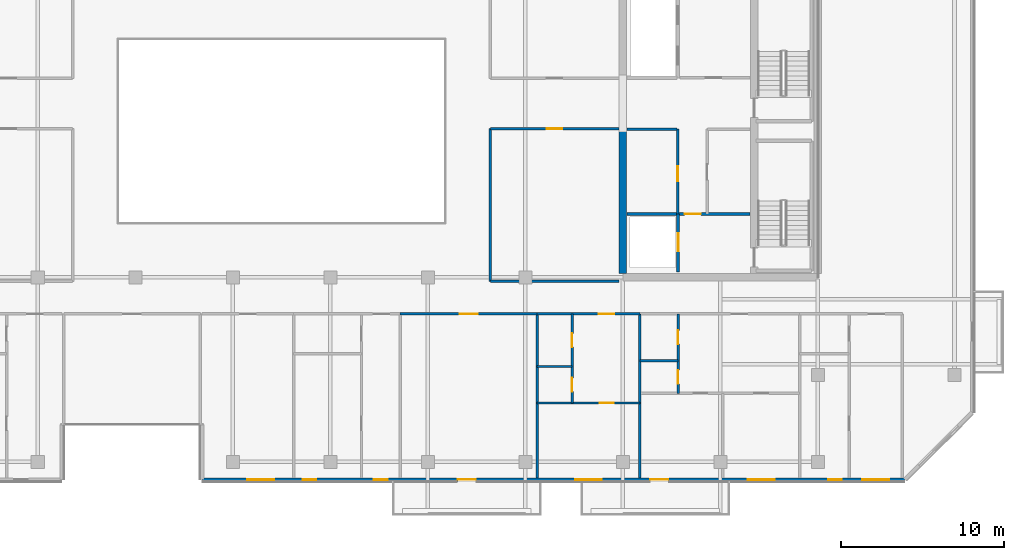
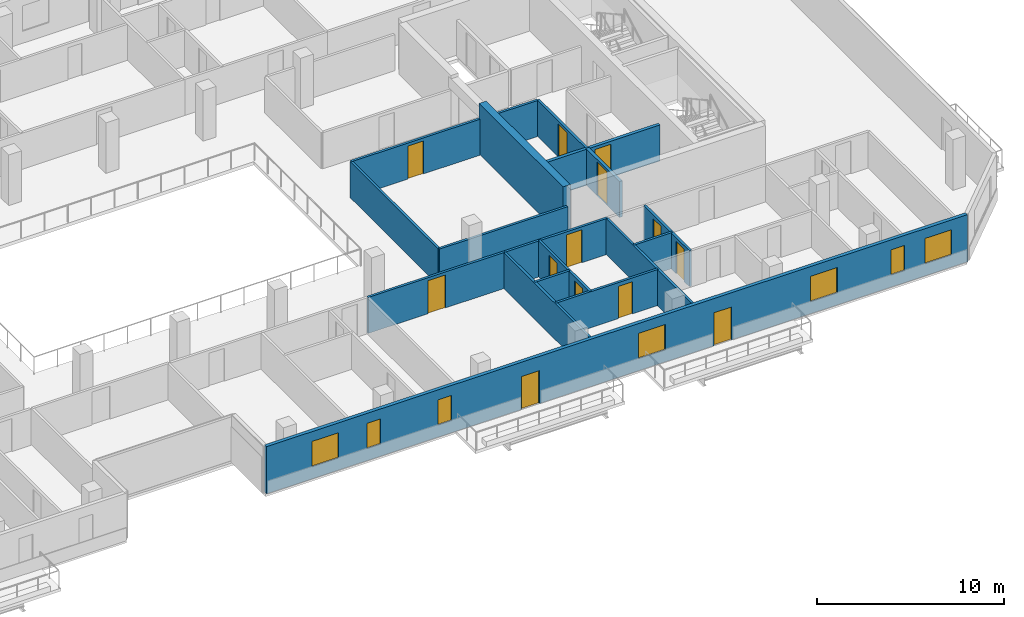
# One storey, part 12 of 20: 18 walls, 13 doors, 7 windows, 20 openings.
"""IFC4 building model written with IfcOpenShell, lengths in metres."""

from ifc_helpers import new_model, si_unit, direction, frame, frame_2d, origin, place, context, subcontext, project, spatial, rectangle, extrude, material, layer, layer_set, type_object, element, fill, save


model = new_model("IFC4")

# Units and contexts
model_context = context("Model", 3, precision=1e-05, world=origin(), true_north=direction((0.0, 1.0)))
body_context = subcontext(model_context, "Body", "Model", "MODEL_VIEW")
ifc_project = project(units=[si_unit("LENGTHUNIT", "METRE"), si_unit("AREAUNIT", "SQUARE_METRE"), si_unit("VOLUMEUNIT", "CUBIC_METRE"), si_unit("PLANEANGLEUNIT", "RADIAN"), si_unit("MASSUNIT", "GRAM", prefix="KILO")], contexts=[model_context])

# Site, building, storey
site_placement = place(None, origin())
site = spatial("IfcSite", under=ifc_project, at=site_placement, CompositionType="ELEMENT")
building_placement = place(site_placement, origin())
building = spatial("IfcBuilding", under=site, at=building_placement, Name="Tanjung Sevakor Pilgrim Tower", CompositionType="ELEMENT")
storey_placement = place(building_placement, frame((0.0, 0.0, 201.6298828125)))
storey = spatial("IfcBuildingStorey", under=building, at=storey_placement, Name="L56", CompositionType="ELEMENT", Elevation=201.6298828125)

# Walls
ifc_material_1 = material(Name="Concrete C60/75", Category="concrete")
ifc_layer_1 = layer(ifc_material_1, 0.449951171875)
ifc_layer_set_1 = layer_set([ifc_layer_1], Name="WALL-CW-450")
wall_type_1 = type_object("IfcWallType", Name="WALL-CW-450", PredefinedType="SHEAR", material=ifc_layer_set_1)
wall_1_placement = place(storey_placement, frame((78.0, 24.824951171875, 0.0), z_axis=(0.0, 0.0, 1.0), x_axis=(0.0, 1.0, 0.0)))
element("IfcWall", 1, at=wall_1_placement, inside=storey, type_object=wall_type_1, Name="L56 E Core Inner Shear Wall South", PredefinedType="SHEAR", context=body_context, shape_type="SweptSolid", body=[
    extrude(rectangle(XDim=8.97509765625, YDim=0.449951171875, at=frame_2d((4.487548828125, 0.0))), origin(), (0.0, 0.0, 1.0), 3.300048828125),
])
ifc_material_2 = material(Name="Concrete C40/50", Category="concrete")
ifc_layer_2 = layer(ifc_material_2, 0.14990234375)
ifc_layer_set_2 = layer_set([ifc_layer_2], Name="WT-COMP-150")
wall_type_2 = type_object("IfcWallType", Name="WT-COMP-150", PredefinedType="SOLIDWALL", material=ifc_layer_set_2)
wall_2_placement = place(storey_placement, frame((78.2451171875, 33.719970703125, 0.0), z_axis=(0.0, 0.0, 1.0), x_axis=(1.0, 0.0, 0.0)))
element("IfcWall", 2, at=wall_2_placement, inside=storey, type_object=wall_type_2, Name="L56 Partition IW-L56-014", PredefinedType="SOLIDWALL", context=body_context, shape_type="SweptSolid", body=[
    extrude(rectangle(XDim=3.074951171875, YDim=0.14990234375, at=frame_2d((1.53759765625, 0.0))), origin(), (0.0, 0.0, 1.0), 2.35009765625),
])

# Wall, opening, door
wall_3_placement = place(storey_placement, frame((81.3798828125, 28.5, 0.0), z_axis=(0.0, 0.0, 1.0), x_axis=(0.0, 1.0, 0.0)))
wall_3 = element("IfcWall", 3, at=wall_3_placement, inside=storey, type_object=wall_type_2, Name="L56 Partition IW-L56-015", PredefinedType="SOLIDWALL", context=body_context, shape_type="SweptSolid", body=[
    extrude(rectangle(XDim=5.219970703125, YDim=0.14990234375, at=frame_2d((2.60986328125, 0.0))), origin(), (0.0, 0.0, 1.0), 2.35009765625),
])
opening_1_placement = place(wall_3_placement, frame((2.0, 0.0, 0.0)))
opening_1 = element("IfcOpeningElement", 4, at=opening_1_placement, cuts=wall_3, Name="Opening ID-FD2", PredefinedType="OPENING", context=body_context, shape_type="SweptSolid", body=[
    extrude(rectangle(XDim=0.949951171875, YDim=2.14990234375, at=frame_2d((0.47509765625, 1.074951171875))), frame((0.0, 0.0849609375, 0.0), z_axis=(0.0, -1.0, 0.0), x_axis=(1.0, 0.0, 0.0)), (0.0, 0.0, 1.0), 0.169921875),
])
ifc_material_3 = material(Name="Fire-Rated Timber", Category="wood")
door_type_1 = type_object("IfcDoorType", Name="DT-FIRE-950", OperationType="NOTDEFINED", PredefinedType="DOOR", material=ifc_material_3)
door_1_placement = place(opening_1_placement, origin())
door_1 = element("IfcDoor", 5, at=door_1_placement, inside=storey, type_object=door_type_1, Name="L56 Accessible WC Door", OperationType="SINGLE_SWING_LEFT", OverallHeight=2.14990234375, OverallWidth=0.949951171875, PredefinedType="DOOR", context=body_context, shape_type="SweptSolid", body=[
    extrude(rectangle(XDim=0.949951171875, YDim=2.14990234375, at=frame_2d((0.47509765625, 1.074951171875))), frame((0.0, 0.02490234375, 0.0), z_axis=(0.0, -1.0, 0.0), x_axis=(1.0, 0.0, 0.0)), (0.0, 0.0, 1.0), 0.050048828125),
])
fill(opening_1, door_1)

# Wall
wall_4_placement = place(storey_placement, frame((69.85009765625, 24.35009765625, 0.0), z_axis=(0.0, 0.0, 1.0), x_axis=(1.0, 0.0, 0.0)))
element("IfcWall", 6, at=wall_4_placement, inside=storey, type_object=wall_type_2, Name="L56 Partition IW-L56-025", PredefinedType="SOLIDWALL", context=body_context, shape_type="SweptSolid", body=[
    extrude(rectangle(XDim=7.90478515625, YDim=0.14990234375, at=frame_2d((3.952392578125, 0.0))), origin(), (0.0, 0.0, 1.0), 2.35009765625),
])

# Wall, opening, door
wall_5_placement = place(storey_placement, frame((69.85009765625, 33.75, 0.0), z_axis=(0.0, 0.0, 1.0), x_axis=(1.0, 0.0, 0.0)))
wall_5 = element("IfcWall", 7, at=wall_5_placement, inside=storey, type_object=wall_type_2, Name="L56 Partition IW-L56-026", PredefinedType="SOLIDWALL", context=body_context, shape_type="SweptSolid", body=[
    extrude(rectangle(XDim=7.90478515625, YDim=0.14990234375, at=frame_2d((3.952392578125, 0.0))), origin(), (0.0, 0.0, 1.0), 2.35009765625),
])
opening_2_placement = place(wall_5_placement, frame((3.4775390625, 0.0, 0.0)))
opening_2 = element("IfcOpeningElement", 8, at=opening_2_placement, cuts=wall_5, Name="Opening ID-RM1", PredefinedType="OPENING", context=body_context, shape_type="SweptSolid", body=[
    extrude(rectangle(XDim=0.949951171875, YDim=2.14990234375, at=frame_2d((0.47509765625, 1.074951171875))), frame((0.0, 0.0849609375, 0.0), z_axis=(0.0, -1.0, 0.0), x_axis=(1.0, 0.0, 0.0)), (0.0, 0.0, 1.0), 0.169921875),
])
ifc_material_4 = material(Name="Hardwood Timber", Category="wood")
door_type_2 = type_object("IfcDoorType", Name="DT-INT-950", OperationType="NOTDEFINED", PredefinedType="DOOR", material=ifc_material_4)
door_2_placement = place(opening_2_placement, origin())
door_2 = element("IfcDoor", 9, at=door_2_placement, inside=storey, type_object=door_type_2, Name="L56 East Inboard South Door", OperationType="SINGLE_SWING_LEFT", OverallHeight=2.14990234375, OverallWidth=0.949951171875, PredefinedType="DOOR", context=body_context, shape_type="SweptSolid", body=[
    extrude(rectangle(XDim=0.949951171875, YDim=2.14990234375, at=frame_2d((0.47509765625, 1.074951171875))), frame((0.0, 0.02490234375, 0.0), z_axis=(0.0, -1.0, 0.0), x_axis=(1.0, 0.0, 0.0)), (0.0, 0.0, 1.0), 0.050048828125),
])
fill(opening_2, door_2)

# Walls
wall_6_placement = place(storey_placement, frame((69.85009765625, 24.35009765625, 0.0), z_axis=(0.0, 0.0, 1.0), x_axis=(0.0, 1.0, 0.0)))
element("IfcWall", 10, at=wall_6_placement, inside=storey, type_object=wall_type_2, Name="L56 Partition IW-L56-027", PredefinedType="SOLIDWALL", context=body_context, shape_type="SweptSolid", body=[
    extrude(rectangle(XDim=9.39990234375, YDim=0.14990234375, at=frame_2d((4.699951171875, 0.0))), origin(), (0.0, 0.0, 1.0), 2.35009765625),
])
wall_7_placement = place(storey_placement, frame((72.723388671875, 12.27001953125, 0.0), z_axis=(0.0, 0.0, 1.0), x_axis=(0.0, 1.0, 0.0)))
element("IfcWall", 11, at=wall_7_placement, inside=storey, type_object=wall_type_2, Name="L56 Partition IW-L56-058", PredefinedType="SOLIDWALL", context=body_context, shape_type="SweptSolid", body=[
    extrude(rectangle(XDim=10.080078125, YDim=0.14990234375, at=frame_2d((5.0400390625, 0.0))), origin(), (0.0, 0.0, 1.0), 2.35009765625),
])

# Wall, opening, door
wall_8_placement = place(storey_placement, frame((64.294921875, 22.35009765625, 0.0), z_axis=(0.0, 0.0, 1.0), x_axis=(1.0, 0.0, 0.0)))
wall_8 = element("IfcWall", 12, at=wall_8_placement, inside=storey, type_object=wall_type_2, Name="L56 Partition IW-L56-059", PredefinedType="SOLIDWALL", context=body_context, shape_type="SweptSolid", body=[
    extrude(rectangle(XDim=8.428466796875, YDim=0.14990234375, at=frame_2d((4.21435546875, 0.0))), origin(), (0.0, 0.0, 1.0), 2.35009765625),
])
opening_3_placement = place(wall_8_placement, frame((3.664306640625, 0.0, 0.0)))
opening_3 = element("IfcOpeningElement", 13, at=opening_3_placement, cuts=wall_8, Name="Opening ID-FD0", PredefinedType="OPENING", context=body_context, shape_type="SweptSolid", body=[
    extrude(rectangle(XDim=1.10009765625, YDim=2.14990234375, at=frame_2d((0.550048828125, 1.074951171875))), frame((0.0, 0.0849609375, 0.0), z_axis=(0.0, -1.0, 0.0), x_axis=(1.0, 0.0, 0.0)), (0.0, 0.0, 1.0), 0.169921875),
])
ifc_material_5 = material(Name="Fire-Rated Steel S355J2", Category="steel")
door_type_3 = type_object("IfcDoorType", Name="DT-FIRE-1100", OperationType="NOTDEFINED", PredefinedType="DOOR", material=ifc_material_5)
door_3_placement = place(opening_3_placement, origin())
door_3 = element("IfcDoor", 14, at=door_3_placement, inside=storey, type_object=door_type_3, Name="Seminar Room Door", OperationType="SINGLE_SWING_RIGHT", OverallHeight=2.14990234375, OverallWidth=1.10009765625, PredefinedType="DOOR", context=body_context, shape_type="SweptSolid", body=[
    extrude(rectangle(XDim=1.10009765625, YDim=2.14990234375, at=frame_2d((0.550048828125, 1.074951171875))), frame((0.0, 0.02490234375, 0.0), z_axis=(0.0, -1.0, 0.0), x_axis=(1.0, 0.0, 0.0)), (0.0, 0.0, 1.0), 0.050048828125),
])
fill(opening_3, door_3)

# Wall
wall_9_placement = place(storey_placement, frame((79.044921875, 12.27001953125, 0.0), z_axis=(0.0, 0.0, 1.0), x_axis=(0.0, 1.0, 0.0)))
element("IfcWall", 15, at=wall_9_placement, inside=storey, type_object=wall_type_2, Name="L56 Partition IW-L56-060", PredefinedType="SOLIDWALL", context=body_context, shape_type="SweptSolid", body=[
    extrude(rectangle(XDim=10.080078125, YDim=0.14990234375, at=frame_2d((5.0400390625, 0.0))), origin(), (0.0, 0.0, 1.0), 2.35009765625),
])

# Wall, opening, door
wall_10_placement = place(storey_placement, frame((72.723388671875, 22.35009765625, 0.0), z_axis=(0.0, 0.0, 1.0), x_axis=(1.0, 0.0, 0.0)))
wall_10 = element("IfcWall", 16, at=wall_10_placement, inside=storey, type_object=wall_type_2, Name="L56 Partition IW-L56-064", PredefinedType="SOLIDWALL", context=body_context, shape_type="SweptSolid", body=[
    extrude(rectangle(XDim=6.321533203125, YDim=0.14990234375, at=frame_2d((3.16064453125, 0.0))), origin(), (0.0, 0.0, 1.0), 2.35009765625),
])
opening_4_placement = place(wall_10_placement, frame((3.80029296875, 0.0, 0.0)))
opening_4 = element("IfcOpeningElement", 17, at=opening_4_placement, cuts=wall_10, Name="Opening ID-FD2", PredefinedType="OPENING", context=body_context, shape_type="SweptSolid", body=[
    extrude(rectangle(XDim=0.949951171875, YDim=2.14990234375, at=frame_2d((0.47509765625, 1.074951171875))), frame((0.0, 0.0849609375, 0.0), z_axis=(0.0, -1.0, 0.0), x_axis=(1.0, 0.0, 0.0)), (0.0, 0.0, 1.0), 0.169921875),
])
door_4_placement = place(opening_4_placement, origin())
door_4 = element("IfcDoor", 18, at=door_4_placement, inside=storey, type_object=door_type_1, Name="Residence Entrance", OperationType="SINGLE_SWING_RIGHT", OverallHeight=2.14990234375, OverallWidth=0.949951171875, PredefinedType="DOOR", context=body_context, shape_type="SweptSolid", body=[
    extrude(rectangle(XDim=0.949951171875, YDim=2.14990234375, at=frame_2d((0.47509765625, 1.074951171875))), frame((0.0, 0.02490234375, 0.0), z_axis=(0.0, -1.0, 0.0), x_axis=(1.0, 0.0, 0.0)), (0.0, 0.0, 1.0), 0.050048828125),
])
fill(opening_4, door_4)

# Wall, openings, doors, windows
ifc_material_6 = material(Name="Precast concrete C45/55", Category="concrete")
ifc_layer_3 = layer(ifc_material_6, 0.219970703125)
ifc_layer_set_3 = layer_set([ifc_layer_3], Name="WT-EW-STN4")
wall_type_3 = type_object("IfcWallType", Name="WT-EW-STN4", PredefinedType="SOLIDWALL", material=ifc_layer_set_3)
wall_11_placement = place(storey_placement, frame((52.110107421875, 12.159912109375, 0.0), z_axis=(0.0, 0.0, 1.0), x_axis=(1.0, 0.0, 0.0)))
wall_11 = element("IfcWall", 19, at=wall_11_placement, inside=storey, type_object=wall_type_3, Name="L56 MAIN Exterior Wall 5", PredefinedType="SOLIDWALL", context=body_context, shape_type="SweptSolid", body=[
    extrude(rectangle(XDim=43.244384765625, YDim=0.219970703125, at=frame_2d((21.6220703125, 0.0))), origin(), (0.0, 0.0, 1.0), 3.080078125),
])
opening_5_placement = place(wall_11_placement, frame((15.739990234375, 0.0, 0.0)))
opening_5 = element("IfcOpeningElement", 20, at=opening_5_placement, cuts=wall_11, Name="Opening ED-BAL-1100", PredefinedType="OPENING", context=body_context, shape_type="SweptSolid", body=[
    extrude(rectangle(XDim=1.10009765625, YDim=2.14990234375, at=frame_2d((0.550048828125, 1.074951171875))), frame((0.0, 0.119873046875, 0.0), z_axis=(0.0, -1.0, 0.0), x_axis=(1.0, 0.0, 0.0)), (0.0, 0.0, 1.0), 0.239990234375),
])
opening_6_placement = place(wall_11_placement, frame((27.590087890625, 0.0, 0.0)))
opening_6 = element("IfcOpeningElement", 21, at=opening_6_placement, cuts=wall_11, Name="Opening ED-BAL-1100", PredefinedType="OPENING", context=body_context, shape_type="SweptSolid", body=[
    extrude(rectangle(XDim=1.10009765625, YDim=2.14990234375, at=frame_2d((0.550048828125, 1.074951171875))), frame((0.0, 0.119873046875, 0.0), z_axis=(0.0, -1.0, 0.0), x_axis=(1.0, 0.0, 0.0)), (0.0, 0.0, 1.0), 0.239990234375),
])
opening_7_placement = place(wall_11_placement, frame((2.794677734375, 0.0, 0.780029296875)))
opening_7 = element("IfcOpeningElement", 22, at=opening_7_placement, cuts=wall_11, Name="Opening WN-Z4-1660", PredefinedType="OPENING", context=body_context, shape_type="SweptSolid", body=[
    extrude(rectangle(XDim=1.64990234375, YDim=1.659912109375, at=frame_2d((0.824951171875, 0.830078125))), frame((0.0, 0.119873046875, 0.0), z_axis=(0.0, -1.0, 0.0), x_axis=(1.0, 0.0, 0.0)), (0.0, 0.0, 1.0), 0.239990234375),
])
opening_8_placement = place(wall_11_placement, frame((6.1845703125, 0.0, 0.780029296875)))
opening_8 = element("IfcOpeningElement", 23, at=opening_8_placement, cuts=wall_11, Name="Opening WN-SLM", PredefinedType="OPENING", context=body_context, shape_type="SweptSolid", body=[
    extrude(rectangle(XDim=0.85009765625, YDim=1.64990234375, at=frame_2d((0.425048828125, 0.824951171875))), frame((0.0, 0.119873046875, 0.0), z_axis=(0.0, -1.0, 0.0), x_axis=(1.0, 0.0, 0.0)), (0.0, 0.0, 1.0), 0.239990234375),
])
opening_9_placement = place(wall_11_placement, frame((10.5625, 0.0, 0.780029296875)))
opening_9 = element("IfcOpeningElement", 24, at=opening_9_placement, cuts=wall_11, Name="Opening WN-SLM", PredefinedType="OPENING", context=body_context, shape_type="SweptSolid", body=[
    extrude(rectangle(XDim=0.85009765625, YDim=1.64990234375, at=frame_2d((0.425048828125, 0.824951171875))), frame((0.0, 0.119873046875, 0.0), z_axis=(0.0, -1.0, 0.0), x_axis=(1.0, 0.0, 0.0)), (0.0, 0.0, 1.0), 0.239990234375),
])
opening_10_placement = place(wall_11_placement, frame((22.94921875, 0.0, 0.780029296875)))
opening_10 = element("IfcOpeningElement", 25, at=opening_10_placement, cuts=wall_11, Name="Opening WN-Z4-1660", PredefinedType="OPENING", context=body_context, shape_type="SweptSolid", body=[
    extrude(rectangle(XDim=1.64990234375, YDim=1.659912109375, at=frame_2d((0.824951171875, 0.830078125))), frame((0.0, 0.119873046875, 0.0), z_axis=(0.0, -1.0, 0.0), x_axis=(1.0, 0.0, 0.0)), (0.0, 0.0, 1.0), 0.239990234375),
])
opening_11_placement = place(wall_11_placement, frame((33.573486328125, 0.0, 0.780029296875)))
opening_11 = element("IfcOpeningElement", 26, at=opening_11_placement, cuts=wall_11, Name="Opening WN-Z4-1660", PredefinedType="OPENING", context=body_context, shape_type="SweptSolid", body=[
    extrude(rectangle(XDim=1.64990234375, YDim=1.659912109375, at=frame_2d((0.824951171875, 0.830078125))), frame((0.0, 0.119873046875, 0.0), z_axis=(0.0, -1.0, 0.0), x_axis=(1.0, 0.0, 0.0)), (0.0, 0.0, 1.0), 0.239990234375),
])
opening_12_placement = place(wall_11_placement, frame((38.514404296875, 0.0, 0.780029296875)))
opening_12 = element("IfcOpeningElement", 27, at=opening_12_placement, cuts=wall_11, Name="Opening WN-SLM", PredefinedType="OPENING", context=body_context, shape_type="SweptSolid", body=[
    extrude(rectangle(XDim=0.85009765625, YDim=1.64990234375, at=frame_2d((0.425048828125, 0.824951171875))), frame((0.0, 0.119873046875, 0.0), z_axis=(0.0, -1.0, 0.0), x_axis=(1.0, 0.0, 0.0)), (0.0, 0.0, 1.0), 0.239990234375),
])
opening_13_placement = place(wall_11_placement, frame((40.614990234375, 0.0, 0.780029296875)))
opening_13 = element("IfcOpeningElement", 28, at=opening_13_placement, cuts=wall_11, Name="Opening WN-Z4-1660", PredefinedType="OPENING", context=body_context, shape_type="SweptSolid", body=[
    extrude(rectangle(XDim=1.64990234375, YDim=1.659912109375, at=frame_2d((0.824951171875, 0.830078125))), frame((0.0, 0.119873046875, 0.0), z_axis=(0.0, -1.0, 0.0), x_axis=(1.0, 0.0, 0.0)), (0.0, 0.0, 1.0), 0.239990234375),
])
ifc_material_7 = material(Name="Anodised Aluminium and Laminated Glass", Category="aluminium")
door_type_4 = type_object("IfcDoorType", Name="DTYP-ED-BAL-1100", OperationType="NOTDEFINED", PredefinedType="DOOR", material=ifc_material_7)
door_5_placement = place(opening_5_placement, frame((1.10009765625, 0.0, 0.0), z_axis=(0.0, 0.0, 1.0), x_axis=(-1.0, 0.0, 0.0)))
door_5 = element("IfcDoor", 29, at=door_5_placement, inside=storey, type_object=door_type_4, Name="L56 Balcony Door MAIN-S2", OperationType="SINGLE_SWING_RIGHT", OverallHeight=2.14990234375, OverallWidth=1.10009765625, PredefinedType="DOOR", context=body_context, shape_type="SweptSolid", body=[
    extrude(rectangle(XDim=1.10009765625, YDim=2.14990234375, at=frame_2d((0.550048828125, 1.074951171875))), frame((0.0, 0.02490234375, 0.0), z_axis=(0.0, -1.0, 0.0), x_axis=(1.0, 0.0, 0.0)), (0.0, 0.0, 1.0), 0.050048828125),
])
fill(opening_5, door_5)
door_6_placement = place(opening_6_placement, frame((1.10009765625, 0.0, 0.0), z_axis=(0.0, 0.0, 1.0), x_axis=(-1.0, 0.0, 0.0)))
door_6 = element("IfcDoor", 30, at=door_6_placement, inside=storey, type_object=door_type_4, Name="L56 Balcony Door MAIN-S3", OperationType="SINGLE_SWING_LEFT", OverallHeight=2.14990234375, OverallWidth=1.10009765625, PredefinedType="DOOR", context=body_context, shape_type="SweptSolid", body=[
    extrude(rectangle(XDim=1.10009765625, YDim=2.14990234375, at=frame_2d((0.550048828125, 1.074951171875))), frame((0.0, 0.02490234375, 0.0), z_axis=(0.0, -1.0, 0.0), x_axis=(1.0, 0.0, 0.0)), (0.0, 0.0, 1.0), 0.050048828125),
])
fill(opening_6, door_6)
ifc_material_8 = material(Name="Thermally Broken Aluminium and Low-E Glass", Category="aluminium")
window_type_1 = type_object("IfcWindowType", Name="WTYP-WN-SLM", PartitioningType="SINGLE_PANEL", PredefinedType="WINDOW", material=ifc_material_8)
window_1_placement = place(opening_8_placement, origin())
window_1 = element("IfcWindow", 31, at=window_1_placement, inside=storey, type_object=window_type_1, Name="L56 Facade Window 02", OverallHeight=1.64990234375, OverallWidth=0.85009765625, PartitioningType="SINGLE_PANEL", PredefinedType="WINDOW", context=body_context, shape_type="SweptSolid", body=[
    extrude(rectangle(XDim=0.85009765625, YDim=1.64990234375, at=frame_2d((0.425048828125, 0.824951171875))), frame((0.0, 0.030029296875, 0.0), z_axis=(0.0, -1.0, 0.0), x_axis=(1.0, 0.0, 0.0)), (0.0, 0.0, 1.0), 0.06005859375),
])
fill(opening_8, window_1)
window_2_placement = place(opening_9_placement, origin())
window_2 = element("IfcWindow", 32, at=window_2_placement, inside=storey, type_object=window_type_1, Name="L56 Facade Window 03", OverallHeight=1.64990234375, OverallWidth=0.85009765625, PartitioningType="SINGLE_PANEL", PredefinedType="WINDOW", context=body_context, shape_type="SweptSolid", body=[
    extrude(rectangle(XDim=0.85009765625, YDim=1.64990234375, at=frame_2d((0.425048828125, 0.824951171875))), frame((0.0, 0.030029296875, 0.0), z_axis=(0.0, -1.0, 0.0), x_axis=(1.0, 0.0, 0.0)), (0.0, 0.0, 1.0), 0.06005859375),
])
fill(opening_9, window_2)
window_3_placement = place(opening_12_placement, origin())
window_3 = element("IfcWindow", 33, at=window_3_placement, inside=storey, type_object=window_type_1, Name="L56 Facade Window 06", OverallHeight=1.64990234375, OverallWidth=0.85009765625, PartitioningType="SINGLE_PANEL", PredefinedType="WINDOW", context=body_context, shape_type="SweptSolid", body=[
    extrude(rectangle(XDim=0.85009765625, YDim=1.64990234375, at=frame_2d((0.425048828125, 0.824951171875))), frame((0.0, 0.030029296875, 0.0), z_axis=(0.0, -1.0, 0.0), x_axis=(1.0, 0.0, 0.0)), (0.0, 0.0, 1.0), 0.06005859375),
])
fill(opening_12, window_3)
ifc_material_9 = material(Name="Thermally Broken Aluminium and Low-E Glass", Category="aluminium")
window_type_2 = type_object("IfcWindowType", Name="WTYP-WN-Z4-1660", PartitioningType="DOUBLE_PANEL_VERTICAL", PredefinedType="WINDOW", material=ifc_material_9)
window_4_placement = place(opening_7_placement, origin())
window_4 = element("IfcWindow", 34, at=window_4_placement, inside=storey, type_object=window_type_2, Name="L56 Facade Window 01", OverallHeight=1.659912109375, OverallWidth=1.64990234375, PartitioningType="SINGLE_PANEL", PredefinedType="WINDOW", context=body_context, shape_type="SweptSolid", body=[
    extrude(rectangle(XDim=1.64990234375, YDim=1.659912109375, at=frame_2d((0.824951171875, 0.830078125))), frame((0.0, 0.030029296875, 0.0), z_axis=(0.0, -1.0, 0.0), x_axis=(1.0, 0.0, 0.0)), (0.0, 0.0, 1.0), 0.06005859375),
])
fill(opening_7, window_4)
window_5_placement = place(opening_10_placement, origin())
window_5 = element("IfcWindow", 35, at=window_5_placement, inside=storey, type_object=window_type_2, Name="L56 Facade Window 04", OverallHeight=1.659912109375, OverallWidth=1.64990234375, PartitioningType="SINGLE_PANEL", PredefinedType="WINDOW", context=body_context, shape_type="SweptSolid", body=[
    extrude(rectangle(XDim=1.64990234375, YDim=1.659912109375, at=frame_2d((0.824951171875, 0.830078125))), frame((0.0, 0.030029296875, 0.0), z_axis=(0.0, -1.0, 0.0), x_axis=(1.0, 0.0, 0.0)), (0.0, 0.0, 1.0), 0.06005859375),
])
fill(opening_10, window_5)
window_6_placement = place(opening_11_placement, origin())
window_6 = element("IfcWindow", 36, at=window_6_placement, inside=storey, type_object=window_type_2, Name="L56 Facade Window 05", OverallHeight=1.659912109375, OverallWidth=1.64990234375, PartitioningType="SINGLE_PANEL", PredefinedType="WINDOW", context=body_context, shape_type="SweptSolid", body=[
    extrude(rectangle(XDim=1.64990234375, YDim=1.659912109375, at=frame_2d((0.824951171875, 0.830078125))), frame((0.0, 0.030029296875, 0.0), z_axis=(0.0, -1.0, 0.0), x_axis=(1.0, 0.0, 0.0)), (0.0, 0.0, 1.0), 0.06005859375),
])
fill(opening_11, window_6)
window_7_placement = place(opening_13_placement, origin())
window_7 = element("IfcWindow", 37, at=window_7_placement, inside=storey, type_object=window_type_2, Name="L56 Facade Window 07", OverallHeight=1.659912109375, OverallWidth=1.64990234375, PartitioningType="SINGLE_PANEL", PredefinedType="WINDOW", context=body_context, shape_type="SweptSolid", body=[
    extrude(rectangle(XDim=1.64990234375, YDim=1.659912109375, at=frame_2d((0.824951171875, 0.830078125))), frame((0.0, 0.030029296875, 0.0), z_axis=(0.0, -1.0, 0.0), x_axis=(1.0, 0.0, 0.0)), (0.0, 0.0, 1.0), 0.06005859375),
])
fill(opening_13, window_7)

# Wall, opening, door
ifc_material_10 = material(Name="Concrete C40/50", Category="concrete")
ifc_layer_4 = layer(ifc_material_10, 0.199951171875)
ifc_layer_set_4 = layer_set([ifc_layer_4], Name="WT-FPRT-200")
wall_type_4 = type_object("IfcWallType", Name="WT-FPRT-200", PredefinedType="SOLIDWALL", material=ifc_layer_set_4)
wall_12_placement = place(storey_placement, frame((81.39990234375, 24.919921875, 0.0), z_axis=(0.0, 0.0, 1.0), x_axis=(0.0, 1.0, 0.0)))
wall_12 = element("IfcWall", 38, at=wall_12_placement, inside=storey, type_object=wall_type_4, Name="L56 Partition IW-L56-010", PredefinedType="SOLIDWALL", context=body_context, shape_type="SweptSolid", body=[
    extrude(rectangle(XDim=3.580078125, YDim=0.199951171875, at=frame_2d((1.7900390625, 0.0))), origin(), (0.0, 0.0, 1.0), 2.35009765625),
])
opening_14_placement = place(wall_12_placement, frame((1.300048828125, 0.0, 0.0)))
opening_14 = element("IfcOpeningElement", 39, at=opening_14_placement, cuts=wall_12, Name="Opening LD-1100", PredefinedType="OPENING", context=body_context, shape_type="SweptSolid", body=[
    extrude(rectangle(XDim=1.10009765625, YDim=2.199951171875, at=frame_2d((0.550048828125, 1.10009765625))), frame((0.0, 0.10986328125, 0.0), z_axis=(0.0, -1.0, 0.0), x_axis=(1.0, 0.0, 0.0)), (0.0, 0.0, 1.0), 0.219970703125),
])
ifc_material_11 = material(Name="Brushed Stainless Steel S355J2", Category="steel")
door_type_5 = type_object("IfcDoorType", Name="DT-LIFT-1100", OperationType="SLIDING_TO_LEFT", PredefinedType="DOOR", material=ifc_material_11)
door_7_placement = place(opening_14_placement, origin())
door_7 = element("IfcDoor", 40, at=door_7_placement, inside=storey, type_object=door_type_5, Name="LD-FL-E", OperationType="SLIDING_TO_LEFT", OverallHeight=2.199951171875, OverallWidth=1.10009765625, PredefinedType="DOOR", context=body_context, shape_type="SweptSolid", body=[
    extrude(rectangle(XDim=1.10009765625, YDim=2.199951171875, at=frame_2d((0.550048828125, 1.10009765625))), frame((0.0, 0.02490234375, 0.0), z_axis=(0.0, -1.0, 0.0), x_axis=(1.0, 0.0, 0.0)), (0.0, 0.0, 1.0), 0.050048828125),
])
fill(opening_14, door_7)

wall_13_placement = place(storey_placement, frame((78.2451171875, 28.5, 0.0), z_axis=(0.0, 0.0, 1.0), x_axis=(1.0, 0.0, 0.0)))
wall_13 = element("IfcWall", 41, at=wall_13_placement, inside=storey, type_object=wall_type_4, Name="L56 Partition IW-L56-011", PredefinedType="SOLIDWALL", context=body_context, shape_type="SweptSolid", body=[
    extrude(rectangle(XDim=7.5849609375, YDim=0.199951171875, at=frame_2d((3.79248046875, 0.0))), origin(), (0.0, 0.0, 1.0), 2.35009765625),
])
opening_15_placement = place(wall_13_placement, frame((3.554931640625, 0.0, 0.0)))
opening_15 = element("IfcOpeningElement", 42, at=opening_15_placement, cuts=wall_13, Name="Opening ID-FD1", PredefinedType="OPENING", context=body_context, shape_type="SweptSolid", body=[
    extrude(rectangle(XDim=1.0, YDim=2.14990234375, at=frame_2d((0.5, 1.074951171875))), frame((0.0, 0.10986328125, 0.0), z_axis=(0.0, -1.0, 0.0), x_axis=(1.0, 0.0, 0.0)), (0.0, 0.0, 1.0), 0.219970703125),
])
ifc_material_12 = material(Name="Fire-Rated Steel S355J2", Category="steel")
door_type_6 = type_object("IfcDoorType", Name="DT-FIRE-1000", OperationType="NOTDEFINED", PredefinedType="DOOR", material=ifc_material_12)
door_8_placement = place(opening_15_placement, origin())
door_8 = element("IfcDoor", 43, at=door_8_placement, inside=storey, type_object=door_type_6, Name="Fire Lobby Door E", OperationType="SINGLE_SWING_LEFT", OverallHeight=2.14990234375, OverallWidth=1.0, PredefinedType="DOOR", context=body_context, shape_type="SweptSolid", body=[
    extrude(rectangle(XDim=1.0, YDim=2.14990234375, at=frame_2d((0.5, 1.074951171875))), frame((0.0, 0.02490234375, 0.0), z_axis=(0.0, -1.0, 0.0), x_axis=(1.0, 0.0, 0.0)), (0.0, 0.0, 1.0), 0.050048828125),
])
fill(opening_15, door_8)

# Wall
ifc_material_13 = material(Name="Gypsum Board Partition", Category="gypsum board")
ifc_layer_5 = layer(ifc_material_13, 0.14990234375)
ifc_layer_set_5 = layer_set([ifc_layer_5], Name="WT-PART-150")
wall_type_5 = type_object("IfcWallType", Name="WT-PART-150", PredefinedType="PARTITIONING", material=ifc_layer_set_5)
wall_14_placement = place(storey_placement, frame((72.723388671875, 19.11669921875, 0.0), z_axis=(0.0, 0.0, 1.0), x_axis=(1.0, 0.0, 0.0)))
element("IfcWall", 44, at=wall_14_placement, inside=storey, type_object=wall_type_5, Name="L56 Partition IW-L56-061", PredefinedType="PARTITIONING", context=body_context, shape_type="SweptSolid", body=[
    extrude(rectangle(XDim=2.1494140625, YDim=0.14990234375, at=frame_2d((1.07470703125, 0.0))), origin(), (0.0, 0.0, 1.0), 2.35009765625),
])

# Wall, openings, doors
wall_15_placement = place(storey_placement, frame((74.872802734375, 16.8701171875, 0.0), z_axis=(0.0, 0.0, 1.0), x_axis=(0.0, 1.0, 0.0)))
wall_15 = element("IfcWall", 45, at=wall_15_placement, inside=storey, type_object=wall_type_5, Name="L56 Partition IW-L56-062", PredefinedType="PARTITIONING", context=body_context, shape_type="SweptSolid", body=[
    extrude(rectangle(XDim=5.47998046875, YDim=0.14990234375, at=frame_2d((2.739990234375, 0.0))), origin(), (0.0, 0.0, 1.0), 2.35009765625),
])
opening_16_placement = place(wall_15_placement, frame((0.698486328125, 0.0, 0.0)))
opening_16 = element("IfcOpeningElement", 46, at=opening_16_placement, cuts=wall_15, Name="Opening ID-WC1", PredefinedType="OPENING", context=body_context, shape_type="SweptSolid", body=[
    extrude(rectangle(XDim=0.85009765625, YDim=2.10009765625, at=frame_2d((0.425048828125, 1.050048828125))), frame((0.0, 0.0849609375, 0.0), z_axis=(0.0, -1.0, 0.0), x_axis=(1.0, 0.0, 0.0)), (0.0, 0.0, 1.0), 0.169921875),
])
opening_17_placement = place(wall_15_placement, frame((3.4384765625, 0.0, 0.0)))
opening_17 = element("IfcOpeningElement", 47, at=opening_17_placement, cuts=wall_15, Name="Opening ID-WC1", PredefinedType="OPENING", context=body_context, shape_type="SweptSolid", body=[
    extrude(rectangle(XDim=0.85009765625, YDim=2.10009765625, at=frame_2d((0.425048828125, 1.050048828125))), frame((0.0, 0.0849609375, 0.0), z_axis=(0.0, -1.0, 0.0), x_axis=(1.0, 0.0, 0.0)), (0.0, 0.0, 1.0), 0.169921875),
])
ifc_material_14 = material(Name="Moisture-Resistant Timber", Category="wood")
door_type_7 = type_object("IfcDoorType", Name="DT-INT-850", OperationType="NOTDEFINED", PredefinedType="DOOR", material=ifc_material_14)
door_9_placement = place(opening_16_placement, origin())
door_9 = element("IfcDoor", 48, at=door_9_placement, inside=storey, type_object=door_type_7, Name="Residence Bathroom Door", OperationType="SINGLE_SWING_LEFT", OverallHeight=2.10009765625, OverallWidth=0.85009765625, PredefinedType="DOOR", context=body_context, shape_type="SweptSolid", body=[
    extrude(rectangle(XDim=0.85009765625, YDim=2.10009765625, at=frame_2d((0.425048828125, 1.050048828125))), frame((0.0, 0.02490234375, 0.0), z_axis=(0.0, -1.0, 0.0), x_axis=(1.0, 0.0, 0.0)), (0.0, 0.0, 1.0), 0.050048828125),
])
fill(opening_16, door_9)
door_10_placement = place(opening_17_placement, origin())
door_10 = element("IfcDoor", 49, at=door_10_placement, inside=storey, type_object=door_type_7, Name="Residence Kitchenette Door", OperationType="SINGLE_SWING_RIGHT", OverallHeight=2.10009765625, OverallWidth=0.85009765625, PredefinedType="DOOR", context=body_context, shape_type="SweptSolid", body=[
    extrude(rectangle(XDim=0.85009765625, YDim=2.10009765625, at=frame_2d((0.425048828125, 1.050048828125))), frame((0.0, 0.02490234375, 0.0), z_axis=(0.0, -1.0, 0.0), x_axis=(1.0, 0.0, 0.0)), (0.0, 0.0, 1.0), 0.050048828125),
])
fill(opening_17, door_10)

# Wall, opening, door
wall_16_placement = place(storey_placement, frame((72.723388671875, 16.8701171875, 0.0), z_axis=(0.0, 0.0, 1.0), x_axis=(1.0, 0.0, 0.0)))
wall_16 = element("IfcWall", 50, at=wall_16_placement, inside=storey, type_object=wall_type_5, Name="L56 Partition IW-L56-063", PredefinedType="PARTITIONING", context=body_context, shape_type="SweptSolid", body=[
    extrude(rectangle(XDim=6.321533203125, YDim=0.14990234375, at=frame_2d((3.16064453125, 0.0))), origin(), (0.0, 0.0, 1.0), 2.35009765625),
])
opening_18_placement = place(wall_16_placement, frame((3.850341796875, 0.0, 0.0)))
opening_18 = element("IfcOpeningElement", 51, at=opening_18_placement, cuts=wall_16, Name="Opening ID-WC1", PredefinedType="OPENING", context=body_context, shape_type="SweptSolid", body=[
    extrude(rectangle(XDim=0.85009765625, YDim=2.10009765625, at=frame_2d((0.425048828125, 1.050048828125))), frame((0.0, 0.0849609375, 0.0), z_axis=(0.0, -1.0, 0.0), x_axis=(1.0, 0.0, 0.0)), (0.0, 0.0, 1.0), 0.169921875),
])
door_11_placement = place(opening_18_placement, origin())
door_11 = element("IfcDoor", 52, at=door_11_placement, inside=storey, type_object=door_type_7, Name="Residence Bedroom Door", OperationType="SINGLE_SWING_LEFT", OverallHeight=2.10009765625, OverallWidth=0.85009765625, PredefinedType="DOOR", context=body_context, shape_type="SweptSolid", body=[
    extrude(rectangle(XDim=0.85009765625, YDim=2.10009765625, at=frame_2d((0.425048828125, 1.050048828125))), frame((0.0, 0.02490234375, 0.0), z_axis=(0.0, -1.0, 0.0), x_axis=(1.0, 0.0, 0.0)), (0.0, 0.0, 1.0), 0.050048828125),
])
fill(opening_18, door_11)

# Wall
wall_17_placement = place(storey_placement, frame((79.044921875, 19.470703125, 0.0), z_axis=(0.0, 0.0, 1.0), x_axis=(1.0, 0.0, 0.0)))
element("IfcWall", 53, at=wall_17_placement, inside=storey, type_object=wall_type_5, Name="L56 Partition IW-L56-066", PredefinedType="PARTITIONING", context=body_context, shape_type="SweptSolid", body=[
    extrude(rectangle(XDim=2.35009765625, YDim=0.14990234375, at=frame_2d((1.175048828125, 0.0))), origin(), (0.0, 0.0, 1.0), 2.35009765625),
])

# Wall, openings, doors
wall_18_placement = place(storey_placement, frame((81.39501953125, 17.469970703125, 0.0), z_axis=(0.0, 0.0, 1.0), x_axis=(0.0, 1.0, 0.0)))
wall_18 = element("IfcWall", 54, at=wall_18_placement, inside=storey, type_object=wall_type_5, Name="L56 Partition IW-L56-067", PredefinedType="PARTITIONING", context=body_context, shape_type="SweptSolid", body=[
    extrude(rectangle(XDim=4.880126953125, YDim=0.14990234375, at=frame_2d((2.43994140625, 0.0))), origin(), (0.0, 0.0, 1.0), 2.35009765625),
])
opening_19_placement = place(wall_18_placement, frame((0.575439453125, 0.0, 0.0)))
opening_19 = element("IfcOpeningElement", 55, at=opening_19_placement, cuts=wall_18, Name="Opening ID-WC1", PredefinedType="OPENING", context=body_context, shape_type="SweptSolid", body=[
    extrude(rectangle(XDim=0.85009765625, YDim=2.10009765625, at=frame_2d((0.425048828125, 1.050048828125))), frame((0.0, 0.0849609375, 0.0), z_axis=(0.0, -1.0, 0.0), x_axis=(1.0, 0.0, 0.0)), (0.0, 0.0, 1.0), 0.169921875),
])
opening_20_placement = place(wall_18_placement, frame((3.015380859375, 0.0, 0.0)))
opening_20 = element("IfcOpeningElement", 56, at=opening_20_placement, cuts=wall_18, Name="Opening ID-WC1", PredefinedType="OPENING", context=body_context, shape_type="SweptSolid", body=[
    extrude(rectangle(XDim=0.85009765625, YDim=2.10009765625, at=frame_2d((0.425048828125, 1.050048828125))), frame((0.0, 0.0849609375, 0.0), z_axis=(0.0, -1.0, 0.0), x_axis=(1.0, 0.0, 0.0)), (0.0, 0.0, 1.0), 0.169921875),
])
door_12_placement = place(opening_19_placement, origin())
door_12 = element("IfcDoor", 57, at=door_12_placement, inside=storey, type_object=door_type_7, Name="Suite Bathroom Door", OperationType="SINGLE_SWING_LEFT", OverallHeight=2.10009765625, OverallWidth=0.85009765625, PredefinedType="DOOR", context=body_context, shape_type="SweptSolid", body=[
    extrude(rectangle(XDim=0.85009765625, YDim=2.10009765625, at=frame_2d((0.425048828125, 1.050048828125))), frame((0.0, 0.02490234375, 0.0), z_axis=(0.0, -1.0, 0.0), x_axis=(1.0, 0.0, 0.0)), (0.0, 0.0, 1.0), 0.050048828125),
])
fill(opening_19, door_12)
door_13_placement = place(opening_20_placement, origin())
door_13 = element("IfcDoor", 58, at=door_13_placement, inside=storey, type_object=door_type_7, Name="Suite Kitchenette Door", OperationType="SINGLE_SWING_RIGHT", OverallHeight=2.10009765625, OverallWidth=0.85009765625, PredefinedType="DOOR", context=body_context, shape_type="SweptSolid", body=[
    extrude(rectangle(XDim=0.85009765625, YDim=2.10009765625, at=frame_2d((0.425048828125, 1.050048828125))), frame((0.0, 0.02490234375, 0.0), z_axis=(0.0, -1.0, 0.0), x_axis=(1.0, 0.0, 0.0)), (0.0, 0.0, 1.0), 0.050048828125),
])
fill(opening_20, door_13)

save(model, "model.ifc")
